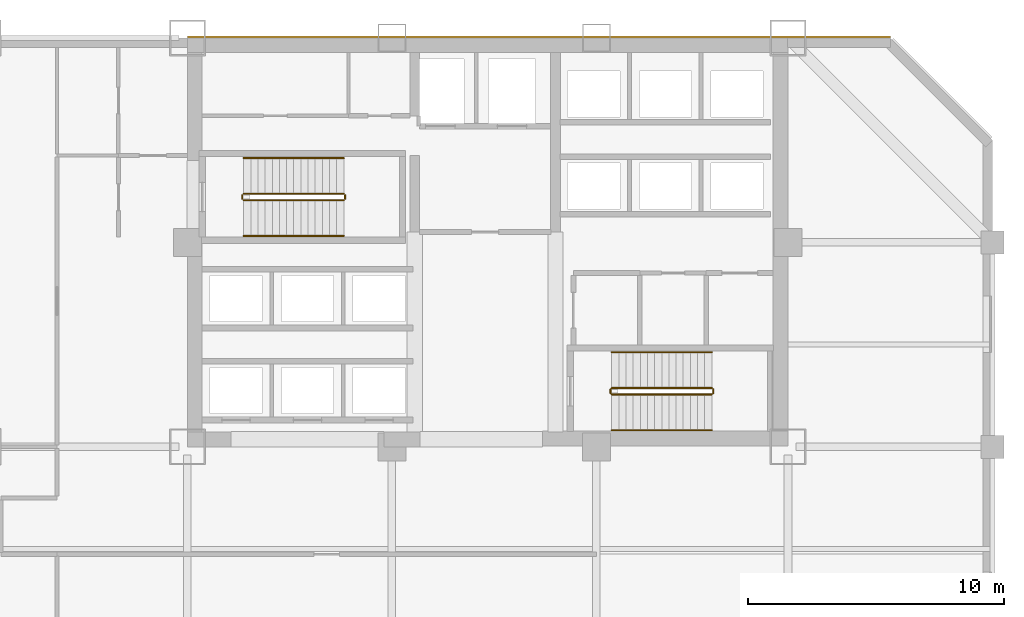
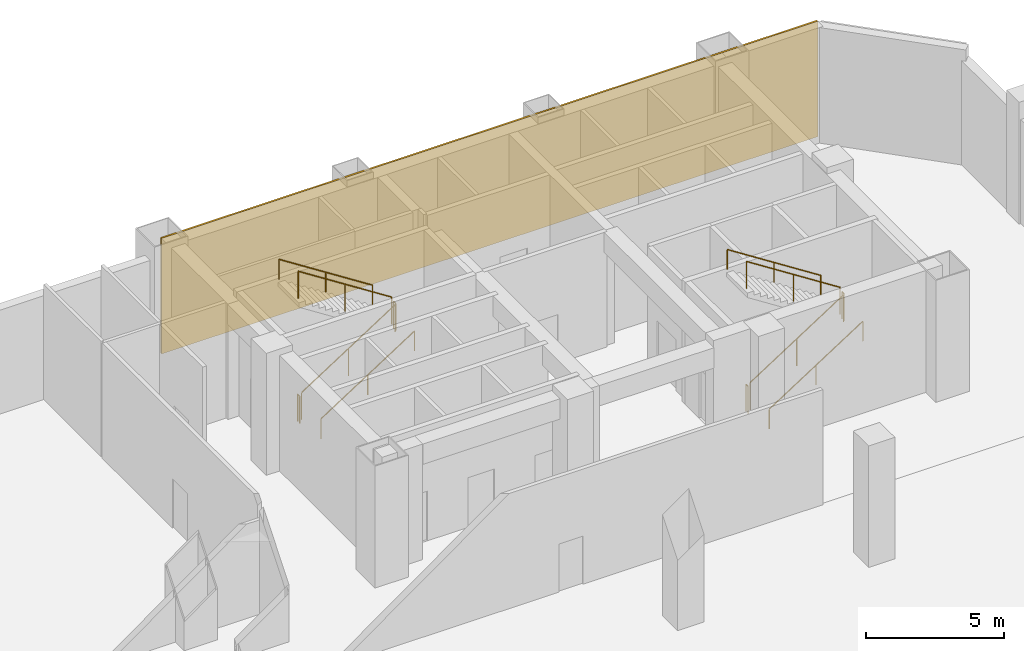
# One storey, part 17 of 18: 12 railings, 1 covering.
"""IFC4 building model written with IfcOpenShell, lengths in metres."""

from ifc_helpers import new_model, si_unit, direction, frame, origin, origin_2d, place, context, subcontext, project, spatial, rectangle, circle, extrude, material, layer, layer_set, type_object, element, save


model = new_model("IFC4")

# Units and contexts
model_context = context("Model", 3, precision=1e-05, world=origin(), true_north=direction((0.0, 1.0)))
body_context = subcontext(model_context, "Body", "Model", "MODEL_VIEW")
ifc_project = project(units=[si_unit("LENGTHUNIT", "METRE"), si_unit("AREAUNIT", "SQUARE_METRE"), si_unit("VOLUMEUNIT", "CUBIC_METRE"), si_unit("PLANEANGLEUNIT", "RADIAN"), si_unit("MASSUNIT", "GRAM", prefix="KILO")], contexts=[model_context])

# Site, building, storey
site_placement = place(None, origin())
site = spatial("IfcSite", under=ifc_project, at=site_placement, CompositionType="ELEMENT")
building_placement = place(site_placement, origin())
building = spatial("IfcBuilding", under=site, at=building_placement, Name="Qianrong Seaharbour Tower", CompositionType="ELEMENT")
storey_placement = place(building_placement, frame((0.0, 0.0, 6.0)))
storey = spatial("IfcBuildingStorey", under=building, at=storey_placement, Name="L02", CompositionType="ELEMENT", Elevation=6.0)

# Covering
ifc_material_1 = material(Name="Unitised red brick cladding on Precast concrete C45/55", Category="masonry")
ifc_layer = layer(ifc_material_1, 0.080078125)
ifc_layer_set = layer_set([ifc_layer], Name="Unitised red brick cladding on Precast concrete C45/55")
covering_type = type_object("IfcCoveringType", Name="COV-CLAD-RED-BRICK-80", PredefinedType="CLADDING", material=ifc_layer_set)
covering_placement = place(storey_placement, frame((54.25, 52.0400390625, 0.0), z_axis=(0.0, 0.0, 1.0), x_axis=(1.0, 0.0, 0.0)))
element("IfcCovering", 1, at=covering_placement, inside=storey, type_object=covering_type, Name="L02 North Core Brick Veneer Cladding", PredefinedType="CLADDING", context=body_context, shape_type="SweptSolid", body=[
    extrude(rectangle(XDim=27.5, YDim=0.080078125, at=origin_2d()), origin(), (0.0, 0.0, 1.0), 5.1201171875),
])

# Railings
ifc_material_2 = material(Name="Galvanized painted steel SN400B stair guard", Category="steel")
railing_type_1 = type_object("IfcRailingType", Name="RAIL-STAIR-GUARD-1220", PredefinedType="GUARDRAIL", material=ifc_material_2)
railing_1_placement = place(storey_placement, frame((42.699951171875, 45.64990234375, 0.179931640625)))
element("IfcRailing", 2, at=railing_1_placement, inside=storey, type_object=railing_type_1, Name="L02 ST-1 stair guard 1", PredefinedType="GUARDRAIL", context=body_context, shape_type="SweptSolid", body=[
    extrude(circle(Radius=0.02392578125, at=origin_2d()), frame((0.0, 0.0, 1.19580078125), z_axis=(0.841186985886, 0.0, 0.540744352514), x_axis=(0.0, 1.0, 0.0)), (0.0, 0.0, 1.0), 4.660400390625),
    extrude(circle(Radius=0.02099609375, at=origin_2d()), origin(), (0.0, 0.0, 1.0), 1.171875),
    extrude(circle(Radius=0.02099609375, at=origin_2d()), frame((1.9599609375, 0.0, 1.260009765625)), (0.0, 0.0, 1.0), 1.171875),
    extrude(circle(Radius=0.02099609375, at=origin_2d()), frame((3.920166015625, 0.0, 2.52001953125)), (0.0, 0.0, 1.0), 1.171875),
])
railing_2_placement = place(storey_placement, frame((46.669921875, 45.699951171875, 2.699951171875)))
element("IfcRailing", 3, at=railing_2_placement, inside=storey, type_object=railing_type_1, Name="L02 ST-1 stair guard 2", PredefinedType="GUARDRAIL", context=body_context, shape_type="SweptSolid", body=[
    extrude(circle(Radius=0.02392578125, at=origin_2d()), frame((0.0, 0.0, 1.19580078125), z_axis=(0.0, 1.0, 0.0), x_axis=(-1.0, 0.0, 0.0)), (0.0, 0.0, 1.0), 0.150146484375),
    extrude(circle(Radius=0.02099609375, at=origin_2d()), origin(), (0.0, 0.0, 1.0), 1.171875),
    extrude(circle(Radius=0.02099609375, at=origin_2d()), frame((0.0, 0.150146484375, 0.0)), (0.0, 0.0, 1.0), 1.171875),
])
railing_3_placement = place(storey_placement, frame((46.6201171875, 45.89990234375, 2.8798828125)))
element("IfcRailing", 4, at=railing_3_placement, inside=storey, type_object=railing_type_1, Name="L02 ST-1 stair guard 3", PredefinedType="GUARDRAIL", context=body_context, shape_type="SweptSolid", body=[
    extrude(circle(Radius=0.02392578125, at=origin_2d()), frame((0.0, 0.0, 1.19580078125), z_axis=(-0.841186985886, 0.0, 0.540744352514), x_axis=(0.0, -1.0, 0.0)), (0.0, 0.0, 1.0), 4.660400390625),
    extrude(circle(Radius=0.02099609375, at=origin_2d()), origin(), (0.0, 0.0, 1.0), 1.171875),
    extrude(circle(Radius=0.02099609375, at=origin_2d()), frame((-1.9599609375, 0.0, 1.260009765625)), (0.0, 0.0, 1.0), 1.171875),
    extrude(circle(Radius=0.02099609375, at=origin_2d()), frame((-3.920166015625, 0.0, 2.52001953125)), (0.0, 0.0, 1.0), 1.171875),
])
railing_4_placement = place(storey_placement, frame((42.64990234375, 45.699951171875, 0.0)))
element("IfcRailing", 5, at=railing_4_placement, inside=storey, type_object=railing_type_1, Name="L02 ST-1 stair guard 4", PredefinedType="GUARDRAIL", context=body_context, shape_type="SweptSolid", body=[
    extrude(circle(Radius=0.02392578125, at=origin_2d()), frame((0.0, 0.0, 1.19580078125), z_axis=(0.0, 1.0, 0.0), x_axis=(-1.0, 0.0, 0.0)), (0.0, 0.0, 1.0), 0.150146484375),
    extrude(circle(Radius=0.02099609375, at=origin_2d()), origin(), (0.0, 0.0, 1.0), 1.171875),
    extrude(circle(Radius=0.02099609375, at=origin_2d()), frame((0.0, 0.150146484375, 0.0)), (0.0, 0.0, 1.0), 1.171875),
])
railing_5_placement = place(storey_placement, frame((57.10009765625, 38.050048828125, 0.179931640625)))
element("IfcRailing", 6, at=railing_5_placement, inside=storey, type_object=railing_type_1, Name="L02 ST-2 stair guard 1", PredefinedType="GUARDRAIL", context=body_context, shape_type="SweptSolid", body=[
    extrude(circle(Radius=0.02392578125, at=origin_2d()), frame((0.0, 0.0, 1.19580078125), z_axis=(0.841171666519, 0.0, 0.540768182723), x_axis=(0.0, 1.0, 0.0)), (0.0, 0.0, 1.0), 4.66015625),
    extrude(circle(Radius=0.02099609375, at=origin_2d()), origin(), (0.0, 0.0, 1.0), 1.171875),
    extrude(circle(Radius=0.02099609375, at=origin_2d()), frame((1.9599609375, 0.0, 1.260009765625)), (0.0, 0.0, 1.0), 1.171875),
    extrude(circle(Radius=0.02099609375, at=origin_2d()), frame((3.919921875, 0.0, 2.52001953125)), (0.0, 0.0, 1.0), 1.171875),
])
railing_6_placement = place(storey_placement, frame((61.070068359375, 38.10009765625, 2.699951171875)))
element("IfcRailing", 7, at=railing_6_placement, inside=storey, type_object=railing_type_1, Name="L02 ST-2 stair guard 2", PredefinedType="GUARDRAIL", context=body_context, shape_type="SweptSolid", body=[
    extrude(circle(Radius=0.02392578125, at=origin_2d()), frame((0.0, 0.0, 1.19580078125), z_axis=(0.0, 1.0, 0.0), x_axis=(-1.0, 0.0, 0.0)), (0.0, 0.0, 1.0), 0.14990234375),
    extrude(circle(Radius=0.02099609375, at=origin_2d()), origin(), (0.0, 0.0, 1.0), 1.171875),
    extrude(circle(Radius=0.02099609375, at=origin_2d()), frame((0.0, 0.14990234375, 0.0)), (0.0, 0.0, 1.0), 1.171875),
])
railing_7_placement = place(storey_placement, frame((61.02001953125, 38.300048828125, 2.8798828125)))
element("IfcRailing", 8, at=railing_7_placement, inside=storey, type_object=railing_type_1, Name="L02 ST-2 stair guard 3", PredefinedType="GUARDRAIL", context=body_context, shape_type="SweptSolid", body=[
    extrude(circle(Radius=0.02392578125, at=origin_2d()), frame((0.0, 0.0, 1.19580078125), z_axis=(-0.841171666519, 0.0, 0.540768182723), x_axis=(0.0, -1.0, 0.0)), (0.0, 0.0, 1.0), 4.66015625),
    extrude(circle(Radius=0.02099609375, at=origin_2d()), origin(), (0.0, 0.0, 1.0), 1.171875),
    extrude(circle(Radius=0.02099609375, at=origin_2d()), frame((-1.9599609375, 0.0, 1.260009765625)), (0.0, 0.0, 1.0), 1.171875),
    extrude(circle(Radius=0.02099609375, at=origin_2d()), frame((-3.919921875, 0.0, 2.52001953125)), (0.0, 0.0, 1.0), 1.171875),
])
railing_8_placement = place(storey_placement, frame((57.050048828125, 38.10009765625, 0.0)))
element("IfcRailing", 9, at=railing_8_placement, inside=storey, type_object=railing_type_1, Name="L02 ST-2 stair guard 4", PredefinedType="GUARDRAIL", context=body_context, shape_type="SweptSolid", body=[
    extrude(circle(Radius=0.02392578125, at=origin_2d()), frame((0.0, 0.0, 1.19580078125), z_axis=(0.0, 1.0, 0.0), x_axis=(-1.0, 0.0, 0.0)), (0.0, 0.0, 1.0), 0.14990234375),
    extrude(circle(Radius=0.02099609375, at=origin_2d()), origin(), (0.0, 0.0, 1.0), 1.171875),
    extrude(circle(Radius=0.02099609375, at=origin_2d()), frame((0.0, 0.14990234375, 0.0)), (0.0, 0.0, 1.0), 1.171875),
])
ifc_material_3 = material(Name="Stainless steel SUS316L continuous handrail", Category="steel")
railing_type_2 = type_object("IfcRailingType", Name="RAIL-STAIR-HANDRAIL-900", PredefinedType="HANDRAIL", material=ifc_material_3)
railing_9_placement = place(storey_placement, frame((42.699951171875, 44.25, 0.179931640625)))
element("IfcRailing", 10, at=railing_9_placement, inside=storey, type_object=railing_type_2, Name="L02 ST-1 stair handrail 1", PredefinedType="HANDRAIL", context=body_context, shape_type="SweptSolid", body=[
    extrude(circle(Radius=0.02392578125, at=origin_2d()), frame((0.0, 0.0, 0.8759765625), z_axis=(0.841186985886, 0.0, 0.540744352514), x_axis=(0.0, 1.0, 0.0)), (0.0, 0.0, 1.0), 4.660400390625),
    extrude(circle(Radius=0.02099609375, at=origin_2d()), origin(), (0.0, 0.0, 1.0), 0.851806640625),
    extrude(circle(Radius=0.02099609375, at=origin_2d()), frame((1.9599609375, 0.0, 1.260009765625)), (0.0, 0.0, 1.0), 0.851806640625),
    extrude(circle(Radius=0.02099609375, at=origin_2d()), frame((3.920166015625, 0.0, 2.52001953125)), (0.0, 0.0, 1.0), 0.851806640625),
])
railing_10_placement = place(storey_placement, frame((46.6201171875, 47.300048828125, 2.8798828125)))
element("IfcRailing", 11, at=railing_10_placement, inside=storey, type_object=railing_type_2, Name="L02 ST-1 stair handrail 2", PredefinedType="HANDRAIL", context=body_context, shape_type="SweptSolid", body=[
    extrude(circle(Radius=0.02392578125, at=origin_2d()), frame((0.0, 0.0, 0.8759765625), z_axis=(-0.841186985886, 0.0, 0.540744352514), x_axis=(0.0, -1.0, 0.0)), (0.0, 0.0, 1.0), 4.660400390625),
    extrude(circle(Radius=0.02099609375, at=origin_2d()), origin(), (0.0, 0.0, 1.0), 0.851806640625),
    extrude(circle(Radius=0.02099609375, at=origin_2d()), frame((-1.9599609375, 0.0, 1.260009765625)), (0.0, 0.0, 1.0), 0.851806640625),
    extrude(circle(Radius=0.02099609375, at=origin_2d()), frame((-3.920166015625, 0.0, 2.52001953125)), (0.0, 0.0, 1.0), 0.851806640625),
])
railing_11_placement = place(storey_placement, frame((57.10009765625, 36.64990234375, 0.179931640625)))
element("IfcRailing", 12, at=railing_11_placement, inside=storey, type_object=railing_type_2, Name="L02 ST-2 stair handrail 1", PredefinedType="HANDRAIL", context=body_context, shape_type="SweptSolid", body=[
    extrude(circle(Radius=0.02392578125, at=origin_2d()), frame((0.0, 0.0, 0.8759765625), z_axis=(0.841171666519, 0.0, 0.540768182723), x_axis=(0.0, 1.0, 0.0)), (0.0, 0.0, 1.0), 4.66015625),
    extrude(circle(Radius=0.02099609375, at=origin_2d()), origin(), (0.0, 0.0, 1.0), 0.851806640625),
    extrude(circle(Radius=0.02099609375, at=origin_2d()), frame((1.9599609375, 0.0, 1.260009765625)), (0.0, 0.0, 1.0), 0.851806640625),
    extrude(circle(Radius=0.02099609375, at=origin_2d()), frame((3.919921875, 0.0, 2.52001953125)), (0.0, 0.0, 1.0), 0.851806640625),
])
railing_12_placement = place(storey_placement, frame((61.02001953125, 39.699951171875, 2.8798828125)))
element("IfcRailing", 13, at=railing_12_placement, inside=storey, type_object=railing_type_2, Name="L02 ST-2 stair handrail 2", PredefinedType="HANDRAIL", context=body_context, shape_type="SweptSolid", body=[
    extrude(circle(Radius=0.02392578125, at=origin_2d()), frame((0.0, 0.0, 0.8759765625), z_axis=(-0.841171666519, 0.0, 0.540768182723), x_axis=(0.0, -1.0, 0.0)), (0.0, 0.0, 1.0), 4.66015625),
    extrude(circle(Radius=0.02099609375, at=origin_2d()), origin(), (0.0, 0.0, 1.0), 0.851806640625),
    extrude(circle(Radius=0.02099609375, at=origin_2d()), frame((-1.9599609375, 0.0, 1.260009765625)), (0.0, 0.0, 1.0), 0.851806640625),
    extrude(circle(Radius=0.02099609375, at=origin_2d()), frame((-3.919921875, 0.0, 2.52001953125)), (0.0, 0.0, 1.0), 0.851806640625),
])

save(model, "model.ifc")
